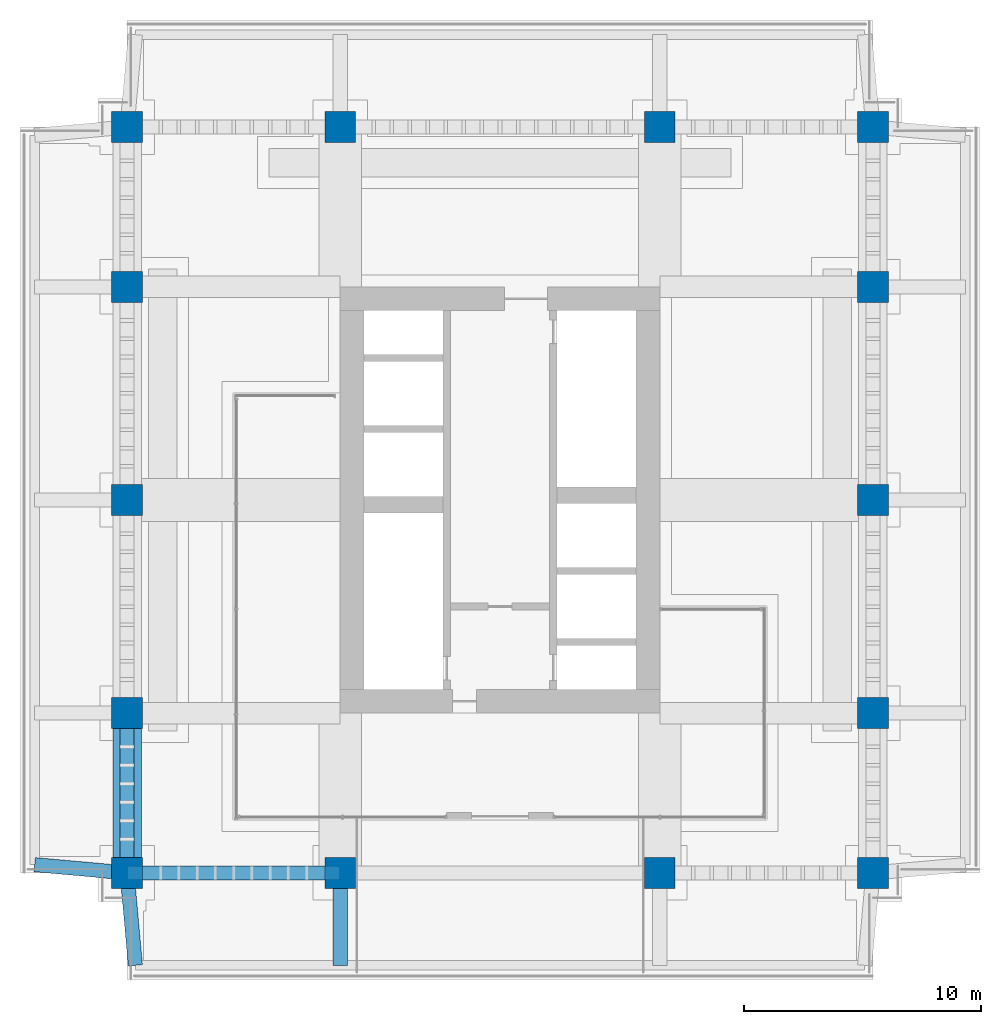
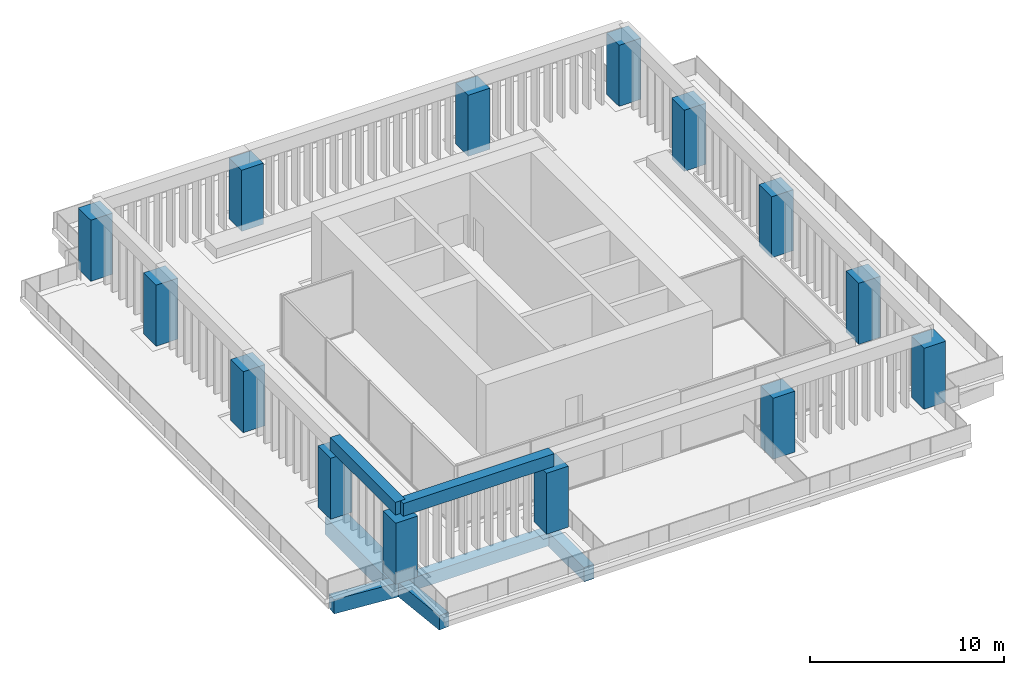
# One storey, part 1 of 9: 14 columns, 7 beams.
"""IFC4 building model written with IfcOpenShell, lengths in metres."""

import ifcopenshell
import ifcopenshell.guid

model = None  # the IFC model being written
_history = None  # IfcOwnerHistory: only IFC2X3 demands one
_inside = {}  # id of a spatial element -> (the spatial element, [elements in it])
_under = {}  # id of a project, library or spatial element -> (it, [spatial elements below it])
_declared = {}  # id of a project -> (the project, [libraries it declares])
_typed = {}  # id of a type object -> (the type object, [elements of that type])
_made_of = {}  # id of a material, layer set ... -> (it, [elements and type objects made of it])


def new_model(schema):
    """Start an empty IFC model of exactly this schema.

    Asked for "IFC4X3", IfcOpenShell would pick the latest addendum, in which some entities
    have other attributes; the version numbers below select the first issue.
    IFC2X3 requires an IfcOwnerHistory on every rooted entity: one is made here for all.
    """
    global model, _history
    if schema == "IFC4X3":
        model = ifcopenshell.file(schema_version=(4, 3, 0, 0))
    else:
        model = ifcopenshell.file(schema=schema)
    _inside.clear()
    _under.clear()
    _declared.clear()
    _typed.clear()
    _made_of.clear()
    _history = None
    if model.schema == "IFC2X3":
        org = make("IfcOrganization", Name="unknown")
        user = make(
            "IfcPersonAndOrganization",
            ThePerson=make("IfcPerson", FamilyName="unknown"),
            TheOrganization=org,
        )
        app = make(
            "IfcApplication",
            ApplicationDeveloper=org,
            Version="unknown",
            ApplicationFullName="unknown",
            ApplicationIdentifier="unknown",
        )
        _history = make(
            "IfcOwnerHistory",
            OwningUser=user,
            OwningApplication=app,
            ChangeAction="ADDED",
            CreationDate=0,
        )
    return model


def make(cls, **values):
    """One entity of the class cls with the attributes given. An attribute that is None is left unset."""
    return model.create_entity(
        cls, **{name: value for name, value in values.items() if value is not None}
    )


def rooted(cls, **values):
    """An entity with a GlobalId (a new one), such as an element, a storey or a relation."""
    return make(cls, GlobalId=ifcopenshell.guid.new(), OwnerHistory=_history, **values)


def si_unit(unit_type, name, prefix=None):
    """IfcSIUnit, for example si_unit("LENGTHUNIT", "METRE", prefix="MILLI")."""
    return make("IfcSIUnit", UnitType=unit_type, Prefix=prefix, Name=name)


def assignment(units):
    """IfcUnitAssignment: the units of a project."""
    return None if units is None else make("IfcUnitAssignment", Units=units)


def point(xyz):
    """IfcCartesianPoint."""
    return None if xyz is None else make("IfcCartesianPoint", Coordinates=xyz)


def direction(xyz):
    """IfcDirection."""
    return None if xyz is None else make("IfcDirection", DirectionRatios=xyz)


def frame(location, z_axis=None, x_axis=None):
    """IfcAxis2Placement3D, a coordinate frame: its origin and axes. An axis left out is left unset."""
    return make(
        "IfcAxis2Placement3D",
        Location=point(location),
        Axis=direction(z_axis),
        RefDirection=direction(x_axis),
    )


def frame_2d(location, x_axis=None):
    """IfcAxis2Placement2D, a coordinate frame in the plane: its origin and x axis."""
    return make(
        "IfcAxis2Placement2D", Location=point(location), RefDirection=direction(x_axis)
    )


def origin():
    """The frame at (0, 0, 0) with its axes left unset."""
    return frame((0.0, 0.0, 0.0))


def origin_2d():
    """The frame at (0, 0) in the plane with its x axis left unset."""
    return frame_2d((0.0, 0.0))


def place(relative_to, where):
    """IfcLocalPlacement: puts the frame where relative to a parent placement (None: the world)."""
    return make(
        "IfcLocalPlacement", PlacementRelTo=relative_to, RelativePlacement=where
    )


def context(
    kind, dimensions, precision=None, world=None, true_north=None, identifier=None
):
    """IfcGeometricRepresentationContext, for example the 3D "Model" context."""
    return make(
        "IfcGeometricRepresentationContext",
        ContextIdentifier=identifier,
        ContextType=kind,
        CoordinateSpaceDimension=dimensions,
        Precision=precision,
        WorldCoordinateSystem=world,
        TrueNorth=true_north,
    )


def subcontext(parent, identifier, kind, view, scale=None):
    """IfcGeometricRepresentationSubContext, for example "Body" below "Model"."""
    return make(
        "IfcGeometricRepresentationSubContext",
        ContextIdentifier=identifier,
        ContextType=kind,
        ParentContext=parent,
        TargetScale=scale,
        TargetView=view,
    )


def project(units=None, contexts=None):
    """IfcProject with its units and contexts."""
    return rooted(
        "IfcProject",
        Name="project",
        RepresentationContexts=contexts,
        UnitsInContext=assignment(units),
    )


def spatial(cls, under=None, at=None, **own):
    """A site, building, storey or space (cls), placed at a placement, below another one or the project."""
    s = rooted(cls, ObjectPlacement=at, **own)
    if under is not None:
        _under.setdefault(under.id(), (under, []))[1].append(s)
    return s


def profile(cls, at=None, kind="AREA", **sizes):
    """A parametric profile (cls). Its sizes go by their IFC names, for example OverallWidth=200.0."""
    return make(cls, ProfileType=kind, Position=at, **sizes)


def rectangle(**sizes):
    """IfcRectangleProfileDef."""
    return profile("IfcRectangleProfileDef", **sizes)


def extrude(swept, where, along, depth):
    """IfcExtrudedAreaSolid: the profile swept, set in the frame where, extruded along a direction by depth."""
    return make(
        "IfcExtrudedAreaSolid",
        SweptArea=swept,
        Position=where,
        ExtrudedDirection=direction(along),
        Depth=depth,
    )


def shape(context_of_items, identifier, shape_type, items):
    """IfcShapeRepresentation: the items that make up one representation, for example the "Body"."""
    return make(
        "IfcShapeRepresentation",
        ContextOfItems=context_of_items,
        RepresentationIdentifier=identifier,
        RepresentationType=shape_type,
        Items=items,
    )


def material(Name=None, Category=None):
    """IfcMaterial."""
    return make("IfcMaterial", Name=Name, Category=Category)


def material_profile(
    of_material, cross_section, Name=None, Category=None, Priority=None
):
    """IfcMaterialProfile: a cross section and its material."""
    return make(
        "IfcMaterialProfile",
        Name=Name,
        Material=of_material,
        Profile=cross_section,
        Priority=Priority,
        Category=Category,
    )


def profile_set(profiles, Name=None, composite=None):
    """IfcMaterialProfileSet."""
    return make(
        "IfcMaterialProfileSet",
        Name=Name,
        MaterialProfiles=profiles,
        CompositeProfile=composite,
    )


def made_of(thing, what):
    """Note that an element or type object is made of a material, layer set ...; save() writes the relation."""
    if what is not None:
        _made_of.setdefault(what.id(), (what, []))[1].append(thing)
    return thing


def type_object(cls, material=None, **own):
    """A type object (cls), such as IfcWallType, which elements share."""
    return made_of(rooted(cls, **own), material)


def element(
    cls,
    number,
    at=None,
    inside=None,
    cuts=None,
    type_object=None,
    material=None,
    context=None,
    identifier="Body",
    shape_type=None,
    held_by="IfcProductDefinitionShape",
    body=None,
    shapes=None,
    **own,
):
    """One element of the class cls, such as IfcWall. Its Tag is "e" and its number.

    at: its placement. inside: the storey or other place that contains it. cuts: it is an
    opening in that element (IfcRelVoidsElement). A single representation is given by context,
    identifier, shape_type and body (its items); several are given by shapes. held_by: the class
    of the entity that holds the representations. save() writes the other relations.
    """
    e = rooted(cls, Tag="e%d" % number, ObjectPlacement=at, **own)
    if body is not None:
        shapes = [shape(context, identifier, shape_type, body)]
    if shapes is not None:
        e.Representation = make(held_by, Representations=shapes)
    if inside is not None:
        _inside.setdefault(inside.id(), (inside, []))[1].append(e)
    if cuts is not None:
        rooted(
            "IfcRelVoidsElement", RelatingBuildingElement=cuts, RelatedOpeningElement=e
        )
    if type_object is not None:
        _typed.setdefault(type_object.id(), (type_object, []))[1].append(e)
    return made_of(e, material)


def aggregate(whole, parts):
    """IfcRelAggregates: a whole, such as a stair, and the parts it consists of."""
    return rooted("IfcRelAggregates", RelatingObject=whole, RelatedObjects=parts)


def save(model, path):
    """Write the relations noted so far, then the file.

    IfcRelAggregates (storeys below a building ...), IfcRelContainedInSpatialStructure (elements
    in a storey), IfcRelDefinesByType, IfcRelAssociatesMaterial and IfcRelDeclares: one each for
    every whole, place, type object, material and project.
    """
    for whole, parts in _under.values():
        aggregate(whole, parts)
    for where, things in _inside.values():
        rooted(
            "IfcRelContainedInSpatialStructure",
            RelatedElements=things,
            RelatingStructure=where,
        )
    for kind, things in _typed.values():
        rooted("IfcRelDefinesByType", RelatedObjects=things, RelatingType=kind)
    for what, things in _made_of.values():
        rooted("IfcRelAssociatesMaterial", RelatedObjects=things, RelatingMaterial=what)
    for by, libraries in _declared.values():
        rooted("IfcRelDeclares", RelatingContext=by, RelatedDefinitions=libraries)
    model.write(path)


model = new_model("IFC4")

# Units and contexts
model_context = context("Model", 3, precision=1e-05, world=origin(), true_north=direction((0.0, 1.0)))
body_context = subcontext(model_context, "Body", "Model", "MODEL_VIEW")
ifc_project = project(units=[si_unit("LENGTHUNIT", "METRE"), si_unit("AREAUNIT", "SQUARE_METRE"), si_unit("VOLUMEUNIT", "CUBIC_METRE"), si_unit("PLANEANGLEUNIT", "RADIAN"), si_unit("MASSUNIT", "GRAM", prefix="KILO")], contexts=[model_context])

# Site, building, storey
site_placement = place(None, origin())
site = spatial("IfcSite", under=ifc_project, at=site_placement, CompositionType="ELEMENT")
building_placement = place(site_placement, origin())
building = spatial("IfcBuilding", under=site, at=building_placement, Name="Namib Vertical Campus", CompositionType="ELEMENT")
storey_placement = place(building_placement, frame((0.0, 0.0, 297.0)))
storey = spatial("IfcBuildingStorey", under=building, at=storey_placement, Name="L70", CompositionType="ELEMENT", Elevation=297.0)

# Columns
ifc_material_1 = material(Name="Concrete C60/75", Category="concrete")
ifc_material_profile_1 = material_profile(ifc_material_1, rectangle(XDim=1.300048828125, YDim=1.300048828125, at=origin_2d()))
ifc_profile_set_1 = profile_set([ifc_material_profile_1], Name="Concrete C60/75")
column_type = type_object("IfcColumnType", Name="Column RC 1300x1300", PredefinedType="COLUMN", material=ifc_profile_set_1)
for number, where, z_axis, x_axis, name in (
    (1, (4.5, 4.5, 0.0), (0.0, 0.0, 1.0), (1.0, 0.0, 0.0), "Column C130 L70"),
    (2, (13.5, 4.5, 0.0), (0.0, 0.0, 1.0), (1.0, 0.0, 0.0), "Column C130 L70"),
    (3, (27.0, 4.5, 0.0), (0.0, 0.0, 1.0), (1.0, 0.0, 0.0), "Column C130 L70"),
    (4, (36.0, 4.5, 0.0), (0.0, 0.0, 1.0), (1.0, 0.0, 0.0), "Column C130 L70"),
    (5, (4.5, 11.25, 0.0), (0.0, 0.0, 1.0), (1.0, 0.0, 0.0), "Column C130 L70"),
    (6, (36.0, 11.25, 0.0), (0.0, 0.0, 1.0), (1.0, 0.0, 0.0), "Column C130 L70"),
    (7, (4.5, 20.25, 0.0), (0.0, 0.0, 1.0), (1.0, 0.0, 0.0), "Column C130 L70"),
    (8, (36.0, 20.25, 0.0), (0.0, 0.0, 1.0), (1.0, 0.0, 0.0), "Column C130 L70"),
    (9, (4.5, 29.25, 0.0), (0.0, 0.0, 1.0), (1.0, 0.0, 0.0), "Column C130 L70"),
    (10, (36.0, 29.25, 0.0), (0.0, 0.0, 1.0), (1.0, 0.0, 0.0), "Column C130 L70"),
    (11, (4.5, 36.0, 0.0), (0.0, 0.0, 1.0), (1.0, 0.0, 0.0), "Column C130 L70"),
    (12, (13.5, 36.0, 0.0), (0.0, 0.0, 1.0), (1.0, 0.0, 0.0), "Column C130 L70"),
    (13, (27.0, 36.0, 0.0), (0.0, 0.0, 1.0), (1.0, 0.0, 0.0), "Column C130 L70"),
    (14, (36.0, 36.0, 0.0), (0.0, 0.0, 1.0), (1.0, 0.0, 0.0), "Column C130 L70"),
):
    element("IfcColumn", number, at=place(storey_placement, frame(where, z_axis=z_axis, x_axis=x_axis)), inside=storey, type_object=column_type, Name=name, PredefinedType="COLUMN", context=body_context, shape_type="SweptSolid", body=[
        extrude(rectangle(XDim=1.300048828125, YDim=1.300048828125, at=origin_2d()), origin(), (0.0, 0.0, 1.0), 3.85009765625),
    ])

# Beams
ifc_material_2 = material(Name="Concrete C40/50", Category="concrete")
ifc_material_profile_2 = material_profile(ifc_material_2, rectangle(XDim=0.60009765625, YDim=0.89990234375, at=origin_2d()))
ifc_profile_set_2 = profile_set([ifc_material_profile_2], Name="Concrete C40/50")
beam_type_1 = type_object("IfcBeamType", Name="Cantilever girder RC 600x900", PredefinedType="BEAM", material=ifc_profile_set_2)
beam_1_placement = place(storey_placement, frame((4.5, 4.5, -0.699951171875), z_axis=(0.089411326146, -0.995994786511, 0.0), x_axis=(0.995994786511, 0.089411326146, 0.0)))
element("IfcBeam", 15, at=beam_1_placement, inside=storey, type_object=beam_type_1, Name="Beam B3 L70", PredefinedType="BEAM", context=body_context, shape_type="SweptSolid", body=[
    extrude(rectangle(XDim=0.60009765625, YDim=0.89990234375, at=origin_2d()), origin(), (0.0, 0.0, 1.0), 3.91552734375),
])
beam_2_placement = place(storey_placement, frame((13.5, 4.5, -0.699951171875), z_axis=(0.0, -1.0, 0.0), x_axis=(1.0, 0.0, 0.0)))
element("IfcBeam", 16, at=beam_2_placement, inside=storey, type_object=beam_type_1, Name="Beam B3 L70", PredefinedType="BEAM", context=body_context, shape_type="SweptSolid", body=[
    extrude(rectangle(XDim=0.60009765625, YDim=0.89990234375, at=origin_2d()), origin(), (0.0, 0.0, 1.0), 3.89990234375),
])
beam_3_placement = place(storey_placement, frame((4.5, 4.5, -0.699951171875), z_axis=(-0.995994786511, 0.089411326146, 0.0), x_axis=(-0.089411326146, -0.995994786511, 0.0)))
element("IfcBeam", 17, at=beam_3_placement, inside=storey, type_object=beam_type_1, Name="Beam B3 L70", PredefinedType="BEAM", context=body_context, shape_type="SweptSolid", body=[
    extrude(rectangle(XDim=0.60009765625, YDim=0.89990234375, at=origin_2d()), origin(), (0.0, 0.0, 1.0), 3.91552734375),
])
ifc_material_3 = material(Name="Concrete C40/50", Category="concrete")
ifc_material_profile_3 = material_profile(ifc_material_3, rectangle(XDim=1.199951171875, YDim=1.10009765625, at=origin_2d()))
ifc_profile_set_3 = profile_set([ifc_material_profile_3], Name="Concrete C40/50")
beam_type_2 = type_object("IfcBeamType", Name="Face ring beam RC 1200x1100", PredefinedType="BEAM", material=ifc_profile_set_3)
beam_4_placement = place(storey_placement, frame((4.5, 4.5, -0.800048828125), z_axis=(0.0, 1.0, 0.0), x_axis=(-1.0, 0.0, 0.0)))
element("IfcBeam", 18, at=beam_4_placement, inside=storey, type_object=beam_type_2, Name="Beam B11 L70", PredefinedType="BEAM", context=body_context, shape_type="SweptSolid", body=[
    extrude(rectangle(XDim=1.199951171875, YDim=1.10009765625, at=origin_2d()), origin(), (0.0, 0.0, 1.0), 6.75),
])
ifc_material_4 = material(Name="Concrete C40/50", Category="concrete")
ifc_material_profile_4 = material_profile(ifc_material_4, rectangle(XDim=0.60009765625, YDim=0.800048828125, at=origin_2d()))
ifc_profile_set_4 = profile_set([ifc_material_profile_4], Name="Concrete C40/50")
beam_type_3 = type_object("IfcBeamType", Name="Ring beam RC 600x800", PredefinedType="BEAM", material=ifc_profile_set_4)
for number, where, z_axis, x_axis, name in (
    (19, (4.5, 4.5, -0.64990234375), (1.0, 0.0, 0.0), (0.0, 1.0, 0.0), "Beam B1 L70"),
    (20, (4.5, 4.5, 4.25), (1.0, 0.0, 0.0), (0.0, 1.0, 0.0), "Canopy ring beam B1 RBS1"),
):
    element("IfcBeam", number, at=place(storey_placement, frame(where, z_axis=z_axis, x_axis=x_axis)), inside=storey, type_object=beam_type_3, Name=name, PredefinedType="BEAM", context=body_context, shape_type="SweptSolid", body=[
        extrude(rectangle(XDim=0.60009765625, YDim=0.800048828125, at=origin_2d()), origin(), (0.0, 0.0, 1.0), 9.0),
    ])
beam_5_placement = place(storey_placement, frame((4.5, 4.5, 4.25), z_axis=(0.0, 1.0, 0.0), x_axis=(-1.0, 0.0, 0.0)))
element("IfcBeam", 21, at=beam_5_placement, inside=storey, type_object=beam_type_3, Name="Canopy ring beam B1 RBW1", PredefinedType="BEAM", context=body_context, shape_type="SweptSolid", body=[
    extrude(rectangle(XDim=0.60009765625, YDim=0.800048828125, at=origin_2d()), origin(), (0.0, 0.0, 1.0), 6.75),
])

save(model, "model.ifc")
